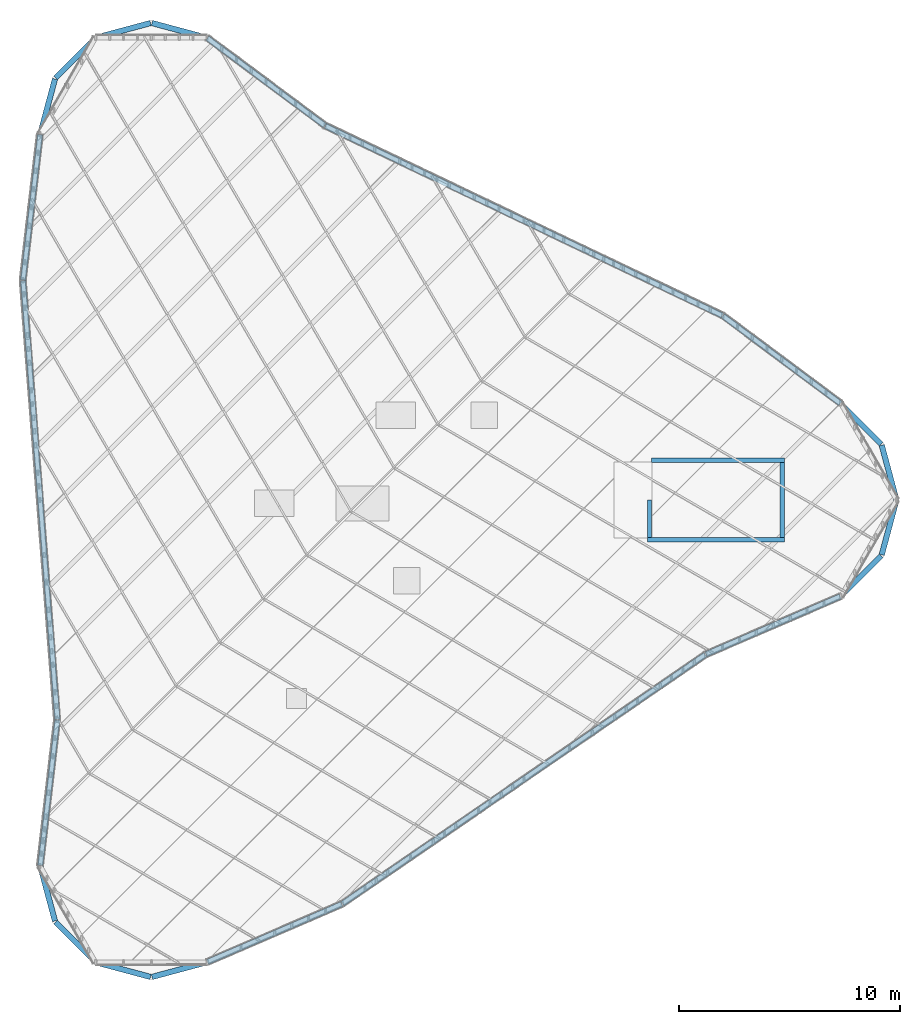
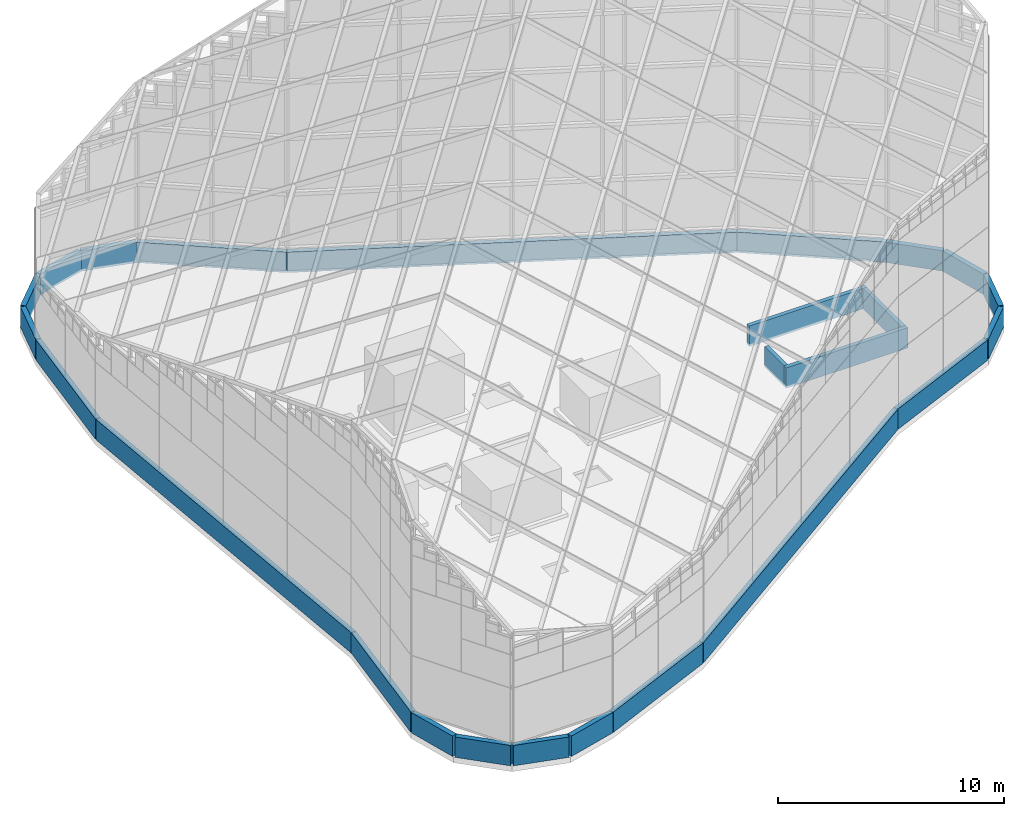
# One storey, part 26 of 29: 25 walls.
"""IFC4 building model written with IfcOpenShell, lengths in metres."""

from ifc_helpers import new_model, si_unit, direction, frame, frame_2d, origin, place, context, subcontext, project, spatial, rectangle, extrude, material, layer, layer_set, type_object, element, save


model = new_model("IFC4")

# Units and contexts
model_context = context("Model", 3, precision=1e-05, world=origin(), true_north=direction((0.0, 1.0)))
body_context = subcontext(model_context, "Body", "Model", "MODEL_VIEW")
ifc_project = project(units=[si_unit("LENGTHUNIT", "METRE"), si_unit("AREAUNIT", "SQUARE_METRE"), si_unit("VOLUMEUNIT", "CUBIC_METRE"), si_unit("PLANEANGLEUNIT", "RADIAN"), si_unit("MASSUNIT", "GRAM", prefix="KILO")], contexts=[model_context])

# Site, building, storey
site_placement = place(None, origin())
site = spatial("IfcSite", under=ifc_project, at=site_placement, CompositionType="ELEMENT")
building_placement = place(site_placement, origin())
building = spatial("IfcBuilding", under=site, at=building_placement, Name="Tanit Gate Tower", CompositionType="ELEMENT")
storey_placement = place(building_placement, frame((0.0, 0.0, 445.300048828125)))
storey = spatial("IfcBuildingStorey", under=building, at=storey_placement, Name="ROOF", CompositionType="ELEMENT", Elevation=445.300048828125)

# Walls
ifc_material_1 = material(Name="Concrete C40/50", Category="concrete")
ifc_layer_1 = layer(ifc_material_1, 0.199951171875)
ifc_layer_set_1 = layer_set([ifc_layer_1], Name="INT-WALL-ROOF-OPENING-PARAPET")
wall_type_1 = type_object("IfcWallType", Name="INT-WALL-ROOF-OPENING-PARAPET", PredefinedType="PARAPET", material=ifc_layer_set_1)
wall_1_placement = place(storey_placement, frame((12.89501953125, -1.800048828125, 0.0), z_axis=(0.0, 0.0, 1.0), x_axis=(1.0, 0.0, 0.0)))
element("IfcWall", 1, at=wall_1_placement, inside=storey, type_object=wall_type_1, Name="Roof opening parapet south", PredefinedType="PARAPET", context=body_context, shape_type="SweptSolid", body=[
    extrude(rectangle(XDim=6.205078125, YDim=0.199951171875, at=frame_2d((3.1025390625, 0.0))), origin(), (0.0, 0.0, 1.0), 1.099853515625),
])
wall_2_placement = place(storey_placement, frame((19.0, -1.699951171875, 0.0), z_axis=(0.0, 0.0, 1.0), x_axis=(0.0, 1.0, 0.0)))
element("IfcWall", 2, at=wall_2_placement, inside=storey, type_object=wall_type_1, Name="Roof opening parapet far", PredefinedType="PARAPET", context=body_context, shape_type="SweptSolid", body=[
    extrude(rectangle(XDim=3.39990234375, YDim=0.199951171875, at=frame_2d((1.699951171875, 0.0))), origin(), (0.0, 0.0, 1.0), 1.099853515625),
])
wall_3_placement = place(storey_placement, frame((13.094970703125, 1.800048828125, 0.0), z_axis=(0.0, 0.0, 1.0), x_axis=(1.0, 0.0, 0.0)))
element("IfcWall", 3, at=wall_3_placement, inside=storey, type_object=wall_type_1, Name="Roof opening parapet north", PredefinedType="PARAPET", context=body_context, shape_type="SweptSolid", body=[
    extrude(rectangle(XDim=6.005126953125, YDim=0.199951171875, at=frame_2d((3.00244140625, 0.0))), origin(), (0.0, 0.0, 1.0), 1.099853515625),
])
wall_4_placement = place(storey_placement, frame((12.9951171875, -1.699951171875, 0.0), z_axis=(0.0, 0.0, 1.0), x_axis=(0.0, 1.0, 0.0)))
element("IfcWall", 4, at=wall_4_placement, inside=storey, type_object=wall_type_1, Name="Roof opening parapet cross", PredefinedType="PARAPET", context=body_context, shape_type="SweptSolid", body=[
    extrude(rectangle(XDim=1.704833984375, YDim=0.199951171875, at=frame_2d((0.8525390625, 0.0))), origin(), (0.0, 0.0, 1.0), 1.099853515625),
])
ifc_material_2 = material(Name="Concrete C30/37", Category="concrete")
ifc_layer_2 = layer(ifc_material_2, 0.25)
ifc_layer_set_2 = layer_set([ifc_layer_2], Name="Parapet wall 250")
wall_type_2 = type_object("IfcWallType", Name="Parapet wall 250", PredefinedType="PARAPET", material=ifc_layer_set_2)
wall_5_placement = place(storey_placement, frame((21.656982421875, 4.36474609375, 0.0), z_axis=(0.0, 0.0, 1.0), x_axis=(0.707106781187, -0.707106781187, 0.0)))
element("IfcWall", 5, at=wall_5_placement, inside=storey, type_object=wall_type_2, Name="Roof parapet 1", PredefinedType="PARAPET", context=body_context, shape_type="SweptSolid", body=[
    extrude(rectangle(XDim=2.584228515625, YDim=0.25, at=frame_2d((1.2919921875, 0.0))), origin(), (0.0, 0.0, 1.0), 1.099853515625),
])
for number, where, z_axis, x_axis, name in (
    (6, (23.516845703125, 2.4814453125, 0.0), (0.0, 0.0, 1.0), (0.258837161991, -0.965920971701, 0.0), "Roof parapet 2"),
    (7, (24.173095703125, -0.032470703125, 0.0), (0.0, 0.0, 1.0), (-0.258837161991, -0.965920971701, 0.0), "Roof parapet 3"),
):
    element("IfcWall", number, at=place(storey_placement, frame(where, z_axis=z_axis, x_axis=x_axis)), inside=storey, type_object=wall_type_2, Name=name, PredefinedType="PARAPET", context=body_context, shape_type="SweptSolid", body=[
        extrude(rectangle(XDim=2.535400390625, YDim=0.25, at=frame_2d((1.267578125, 0.0))), origin(), (0.0, 0.0, 1.0), 1.099853515625),
    ])
wall_6_placement = place(storey_placement, frame((23.484375, -2.537353515625, 0.0), z_axis=(0.0, 0.0, 1.0), x_axis=(-0.707106781187, -0.707106781187, 0.0)))
element("IfcWall", 8, at=wall_6_placement, inside=storey, type_object=wall_type_2, Name="Roof parapet 4", PredefinedType="PARAPET", context=body_context, shape_type="SweptSolid", body=[
    extrude(rectangle(XDim=2.5546875, YDim=0.25, at=frame_2d((1.27734375, 0.0))), origin(), (0.0, 0.0, 1.0), 1.099853515625),
])
wall_7_placement = place(storey_placement, frame((21.63916015625, -4.3701171875, 0.0), z_axis=(0.0, 0.0, 1.0), x_axis=(-0.918303323117, -0.395877514836, 0.0)))
element("IfcWall", 9, at=wall_7_placement, inside=storey, type_object=wall_type_2, Name="Roof parapet 5", PredefinedType="PARAPET", context=body_context, shape_type="SweptSolid", body=[
    extrude(rectangle(XDim=6.632568359375, YDim=0.25, at=frame_2d((3.31640625, 0.0))), origin(), (0.0, 0.0, 1.0), 1.099853515625),
])
wall_8_placement = place(storey_placement, frame((15.527099609375, -7.007568359375, 0.0), z_axis=(0.0, 0.0, 1.0), x_axis=(-0.824479976761, -0.565891127267, 0.0)))
element("IfcWall", 10, at=wall_8_placement, inside=storey, type_object=wall_type_2, Name="Roof parapet 6", PredefinedType="PARAPET", context=body_context, shape_type="SweptSolid", body=[
    extrude(rectangle(XDim=19.94189453125, YDim=0.25, at=frame_2d((9.970947265625, 0.0))), origin(), (0.0, 0.0, 1.0), 1.099853515625),
])
wall_9_placement = place(storey_placement, frame((-0.935791015625, -18.30419921875, 0.0), z_axis=(0.0, 0.0, 1.0), x_axis=(-0.918298268113, -0.395889240547, 0.0)))
element("IfcWall", 11, at=wall_9_placement, inside=storey, type_object=wall_type_2, Name="Roof parapet 7", PredefinedType="PARAPET", context=body_context, shape_type="SweptSolid", body=[
    extrude(rectangle(XDim=6.637939453125, YDim=0.25, at=frame_2d((3.31884765625, 0.0))), origin(), (0.0, 0.0, 1.0), 1.099853515625),
])
wall_10_placement = place(storey_placement, frame((-7.048583984375, -20.93798828125, 0.0), z_axis=(0.0, 0.0, 1.0), x_axis=(-0.965914312195, -0.258862012462, 0.0)))
element("IfcWall", 12, at=wall_10_placement, inside=storey, type_object=wall_type_2, Name="Roof parapet 8", PredefinedType="PARAPET", context=body_context, shape_type="SweptSolid", body=[
    extrude(rectangle(XDim=2.584228515625, YDim=0.25, at=frame_2d((1.2919921875, 0.0))), origin(), (0.0, 0.0, 1.0), 1.099853515625),
])
wall_11_placement = place(storey_placement, frame((-9.609375, -21.60693359375, 0.0), z_axis=(0.0, 0.0, 1.0), x_axis=(-0.965927422152, 0.258813089189, 0.0)))
element("IfcWall", 13, at=wall_11_placement, inside=storey, type_object=wall_type_2, Name="Roof parapet 9", PredefinedType="PARAPET", context=body_context, shape_type="SweptSolid", body=[
    extrude(rectangle(XDim=2.53564453125, YDim=0.25, at=frame_2d((1.267822265625, 0.0))), origin(), (0.0, 0.0, 1.0), 1.099853515625),
])
wall_12_placement = place(storey_placement, frame((-12.114501953125, -20.918212890625, 0.0), z_axis=(0.0, 0.0, 1.0), x_axis=(-0.707106781187, 0.707106781187, 0.0)))
element("IfcWall", 14, at=wall_12_placement, inside=storey, type_object=wall_type_2, Name="Roof parapet 10", PredefinedType="PARAPET", context=body_context, shape_type="SweptSolid", body=[
    extrude(rectangle(XDim=2.535400390625, YDim=0.25, at=frame_2d((1.267578125, 0.0))), origin(), (0.0, 0.0, 1.0), 1.099853515625),
])
wall_13_placement = place(storey_placement, frame((-13.939697265625, -19.0693359375, 0.0), z_axis=(0.0, 0.0, 1.0), x_axis=(-0.258804556293, 0.965929708438, 0.0)))
element("IfcWall", 15, at=wall_13_placement, inside=storey, type_object=wall_type_2, Name="Roof parapet 11", PredefinedType="PARAPET", context=body_context, shape_type="SweptSolid", body=[
    extrude(rectangle(XDim=2.554443359375, YDim=0.25, at=frame_2d((1.27734375, 0.0))), origin(), (0.0, 0.0, 1.0), 1.099853515625),
])
wall_14_placement = place(storey_placement, frame((-14.604248046875, -16.554931640625, 0.0), z_axis=(0.0, 0.0, 1.0), x_axis=(0.116315857611, 0.993212274022, 0.0)))
element("IfcWall", 16, at=wall_14_placement, inside=storey, type_object=wall_type_2, Name="Roof parapet 12", PredefinedType="PARAPET", context=body_context, shape_type="SweptSolid", body=[
    extrude(rectangle(XDim=6.632568359375, YDim=0.25, at=frame_2d((3.31640625, 0.0))), origin(), (0.0, 0.0, 1.0), 1.099853515625),
])
wall_15_placement = place(storey_placement, frame((-13.832275390625, -9.943115234375, 0.0), z_axis=(0.0, 0.0, 1.0), x_axis=(-0.077838613514, 0.996965972462, 0.0)))
element("IfcWall", 17, at=wall_15_placement, inside=storey, type_object=wall_type_2, Name="Roof parapet 13", PredefinedType="PARAPET", context=body_context, shape_type="SweptSolid", body=[
    extrude(rectangle(XDim=19.94189453125, YDim=0.25, at=frame_2d((9.970947265625, 0.0))), origin(), (0.0, 0.0, 1.0), 1.099853515625),
])
wall_16_placement = place(storey_placement, frame((-15.384033203125, 9.96240234375, 0.0), z_axis=(0.0, 0.0, 1.0), x_axis=(0.116294943687, 0.993214723045, 0.0)))
element("IfcWall", 18, at=wall_16_placement, inside=storey, type_object=wall_type_2, Name="Roof parapet 14", PredefinedType="PARAPET", context=body_context, shape_type="SweptSolid", body=[
    extrude(rectangle(XDim=6.637939453125, YDim=0.25, at=frame_2d((3.31884765625, 0.0))), origin(), (0.0, 0.0, 1.0), 1.099853515625),
])
wall_17_placement = place(storey_placement, frame((-14.608642578125, 16.5732421875, 0.0), z_axis=(0.0, 0.0, 1.0), x_axis=(0.258862012462, 0.965914312195, 0.0)))
element("IfcWall", 19, at=wall_17_placement, inside=storey, type_object=wall_type_2, Name="Roof parapet 15", PredefinedType="PARAPET", context=body_context, shape_type="SweptSolid", body=[
    extrude(rectangle(XDim=2.584228515625, YDim=0.25, at=frame_2d((1.2919921875, 0.0))), origin(), (0.0, 0.0, 1.0), 1.099853515625),
])
wall_18_placement = place(storey_placement, frame((-13.9072265625, 19.12548828125, 0.0), z_axis=(0.0, 0.0, 1.0), x_axis=(0.707106781187, 0.707106781187, 0.0)))
element("IfcWall", 20, at=wall_18_placement, inside=storey, type_object=wall_type_2, Name="Roof parapet 16", PredefinedType="PARAPET", context=body_context, shape_type="SweptSolid", body=[
    extrude(rectangle(XDim=2.535400390625, YDim=0.25, at=frame_2d((1.267578125, 0.0))), origin(), (0.0, 0.0, 1.0), 1.099853515625),
])
wall_19_placement = place(storey_placement, frame((-12.05859375, 20.95068359375, 0.0), z_axis=(0.0, 0.0, 1.0), x_axis=(0.965927422152, 0.258813089189, 0.0)))
element("IfcWall", 21, at=wall_19_placement, inside=storey, type_object=wall_type_2, Name="Roof parapet 17", PredefinedType="PARAPET", context=body_context, shape_type="SweptSolid", body=[
    extrude(rectangle(XDim=2.53564453125, YDim=0.25, at=frame_2d((1.267822265625, 0.0))), origin(), (0.0, 0.0, 1.0), 1.099853515625),
])
wall_20_placement = place(storey_placement, frame((-9.544677734375, 21.60693359375, 0.0), z_axis=(0.0, 0.0, 1.0), x_axis=(0.965905813562, -0.258893722068, 0.0)))
element("IfcWall", 22, at=wall_20_placement, inside=storey, type_object=wall_type_2, Name="Roof parapet 18", PredefinedType="PARAPET", context=body_context, shape_type="SweptSolid", body=[
    extrude(rectangle(XDim=2.5546875, YDim=0.25, at=frame_2d((1.27734375, 0.0))), origin(), (0.0, 0.0, 1.0), 1.099853515625),
])
wall_21_placement = place(storey_placement, frame((-7.034912109375, 20.925048828125, 0.0), z_axis=(0.0, 0.0, 1.0), x_axis=(0.801992085191, -0.597334659376, 0.0)))
element("IfcWall", 23, at=wall_21_placement, inside=storey, type_object=wall_type_2, Name="Roof parapet 19", PredefinedType="PARAPET", context=body_context, shape_type="SweptSolid", body=[
    extrude(rectangle(XDim=6.632568359375, YDim=0.25, at=frame_2d((3.31640625, 0.0))), origin(), (0.0, 0.0, 1.0), 1.099853515625),
])
wall_22_placement = place(storey_placement, frame((-1.69482421875, 16.95068359375, 0.0), z_axis=(0.0, 0.0, 1.0), x_axis=(0.902316461679, -0.431074243005, 0.0)))
element("IfcWall", 24, at=wall_22_placement, inside=storey, type_object=wall_type_2, Name="Roof parapet 20", PredefinedType="PARAPET", context=body_context, shape_type="SweptSolid", body=[
    extrude(rectangle(XDim=19.94189453125, YDim=0.25, at=frame_2d((9.970947265625, 0.0))), origin(), (0.0, 0.0, 1.0), 1.099853515625),
])
wall_23_placement = place(storey_placement, frame((16.31982421875, 8.341796875, 0.0), z_axis=(0.0, 0.0, 1.0), x_axis=(0.801986126735, -0.59734265922, 0.0)))
element("IfcWall", 25, at=wall_23_placement, inside=storey, type_object=wall_type_2, Name="Roof parapet 21", PredefinedType="PARAPET", context=body_context, shape_type="SweptSolid", body=[
    extrude(rectangle(XDim=6.637939453125, YDim=0.25, at=frame_2d((3.31884765625, 0.0))), origin(), (0.0, 0.0, 1.0), 1.099853515625),
])

save(model, "model.ifc")
